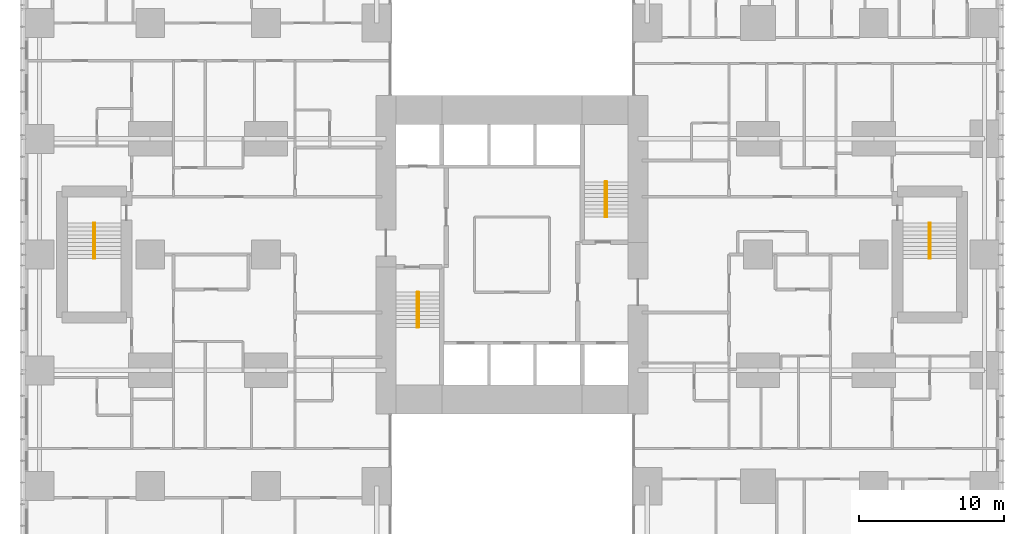
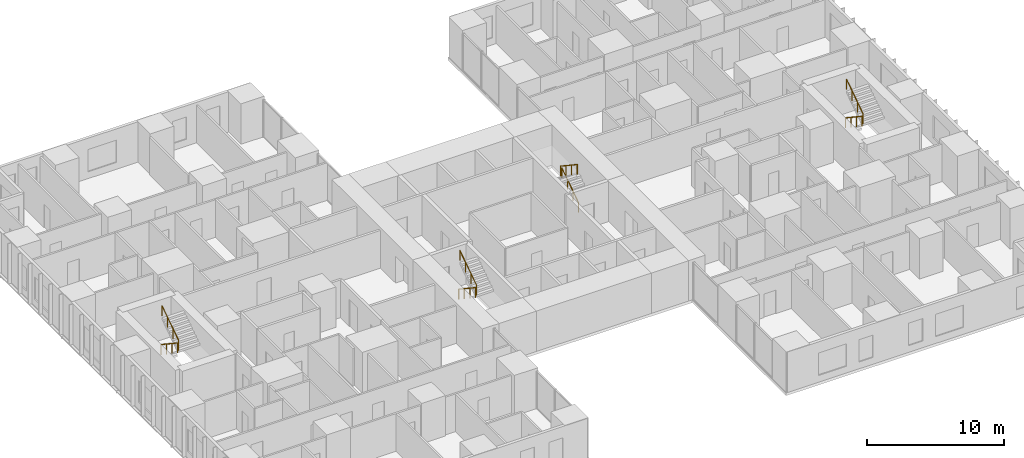
# One storey, part 20 of 20: 8 railings.
"""IFC4 building model written with IfcOpenShell, lengths in metres."""

import ifcopenshell
import ifcopenshell.guid

model = None  # the IFC model being written
_history = None  # IfcOwnerHistory: only IFC2X3 demands one
_inside = {}  # id of a spatial element -> (the spatial element, [elements in it])
_under = {}  # id of a project, library or spatial element -> (it, [spatial elements below it])
_declared = {}  # id of a project -> (the project, [libraries it declares])
_typed = {}  # id of a type object -> (the type object, [elements of that type])
_made_of = {}  # id of a material, layer set ... -> (it, [elements and type objects made of it])


def new_model(schema):
    """Start an empty IFC model of exactly this schema.

    Asked for "IFC4X3", IfcOpenShell would pick the latest addendum, in which some entities
    have other attributes; the version numbers below select the first issue.
    IFC2X3 requires an IfcOwnerHistory on every rooted entity: one is made here for all.
    """
    global model, _history
    if schema == "IFC4X3":
        model = ifcopenshell.file(schema_version=(4, 3, 0, 0))
    else:
        model = ifcopenshell.file(schema=schema)
    _inside.clear()
    _under.clear()
    _declared.clear()
    _typed.clear()
    _made_of.clear()
    _history = None
    if model.schema == "IFC2X3":
        org = make("IfcOrganization", Name="unknown")
        user = make(
            "IfcPersonAndOrganization",
            ThePerson=make("IfcPerson", FamilyName="unknown"),
            TheOrganization=org,
        )
        app = make(
            "IfcApplication",
            ApplicationDeveloper=org,
            Version="unknown",
            ApplicationFullName="unknown",
            ApplicationIdentifier="unknown",
        )
        _history = make(
            "IfcOwnerHistory",
            OwningUser=user,
            OwningApplication=app,
            ChangeAction="ADDED",
            CreationDate=0,
        )
    return model


def make(cls, **values):
    """One entity of the class cls with the attributes given. An attribute that is None is left unset."""
    return model.create_entity(
        cls, **{name: value for name, value in values.items() if value is not None}
    )


def rooted(cls, **values):
    """An entity with a GlobalId (a new one), such as an element, a storey or a relation."""
    return make(cls, GlobalId=ifcopenshell.guid.new(), OwnerHistory=_history, **values)


def si_unit(unit_type, name, prefix=None):
    """IfcSIUnit, for example si_unit("LENGTHUNIT", "METRE", prefix="MILLI")."""
    return make("IfcSIUnit", UnitType=unit_type, Prefix=prefix, Name=name)


def assignment(units):
    """IfcUnitAssignment: the units of a project."""
    return None if units is None else make("IfcUnitAssignment", Units=units)


def point(xyz):
    """IfcCartesianPoint."""
    return None if xyz is None else make("IfcCartesianPoint", Coordinates=xyz)


def direction(xyz):
    """IfcDirection."""
    return None if xyz is None else make("IfcDirection", DirectionRatios=xyz)


def frame(location, z_axis=None, x_axis=None):
    """IfcAxis2Placement3D, a coordinate frame: its origin and axes. An axis left out is left unset."""
    return make(
        "IfcAxis2Placement3D",
        Location=point(location),
        Axis=direction(z_axis),
        RefDirection=direction(x_axis),
    )


def frame_2d(location, x_axis=None):
    """IfcAxis2Placement2D, a coordinate frame in the plane: its origin and x axis."""
    return make(
        "IfcAxis2Placement2D", Location=point(location), RefDirection=direction(x_axis)
    )


def origin():
    """The frame at (0, 0, 0) with its axes left unset."""
    return frame((0.0, 0.0, 0.0))


def origin_2d():
    """The frame at (0, 0) in the plane with its x axis left unset."""
    return frame_2d((0.0, 0.0))


def place(relative_to, where):
    """IfcLocalPlacement: puts the frame where relative to a parent placement (None: the world)."""
    return make(
        "IfcLocalPlacement", PlacementRelTo=relative_to, RelativePlacement=where
    )


def context(
    kind, dimensions, precision=None, world=None, true_north=None, identifier=None
):
    """IfcGeometricRepresentationContext, for example the 3D "Model" context."""
    return make(
        "IfcGeometricRepresentationContext",
        ContextIdentifier=identifier,
        ContextType=kind,
        CoordinateSpaceDimension=dimensions,
        Precision=precision,
        WorldCoordinateSystem=world,
        TrueNorth=true_north,
    )


def subcontext(parent, identifier, kind, view, scale=None):
    """IfcGeometricRepresentationSubContext, for example "Body" below "Model"."""
    return make(
        "IfcGeometricRepresentationSubContext",
        ContextIdentifier=identifier,
        ContextType=kind,
        ParentContext=parent,
        TargetScale=scale,
        TargetView=view,
    )


def project(units=None, contexts=None):
    """IfcProject with its units and contexts."""
    return rooted(
        "IfcProject",
        Name="project",
        RepresentationContexts=contexts,
        UnitsInContext=assignment(units),
    )


def spatial(cls, under=None, at=None, **own):
    """A site, building, storey or space (cls), placed at a placement, below another one or the project."""
    s = rooted(cls, ObjectPlacement=at, **own)
    if under is not None:
        _under.setdefault(under.id(), (under, []))[1].append(s)
    return s


def profile(cls, at=None, kind="AREA", **sizes):
    """A parametric profile (cls). Its sizes go by their IFC names, for example OverallWidth=200.0."""
    return make(cls, ProfileType=kind, Position=at, **sizes)


def circle(**sizes):
    """IfcCircleProfileDef."""
    return profile("IfcCircleProfileDef", **sizes)


def extrude(swept, where, along, depth):
    """IfcExtrudedAreaSolid: the profile swept, set in the frame where, extruded along a direction by depth."""
    return make(
        "IfcExtrudedAreaSolid",
        SweptArea=swept,
        Position=where,
        ExtrudedDirection=direction(along),
        Depth=depth,
    )


def shape(context_of_items, identifier, shape_type, items):
    """IfcShapeRepresentation: the items that make up one representation, for example the "Body"."""
    return make(
        "IfcShapeRepresentation",
        ContextOfItems=context_of_items,
        RepresentationIdentifier=identifier,
        RepresentationType=shape_type,
        Items=items,
    )


def material(Name=None, Category=None):
    """IfcMaterial."""
    return make("IfcMaterial", Name=Name, Category=Category)


def made_of(thing, what):
    """Note that an element or type object is made of a material, layer set ...; save() writes the relation."""
    if what is not None:
        _made_of.setdefault(what.id(), (what, []))[1].append(thing)
    return thing


def type_object(cls, material=None, **own):
    """A type object (cls), such as IfcWallType, which elements share."""
    return made_of(rooted(cls, **own), material)


def element(
    cls,
    number,
    at=None,
    inside=None,
    cuts=None,
    type_object=None,
    material=None,
    context=None,
    identifier="Body",
    shape_type=None,
    held_by="IfcProductDefinitionShape",
    body=None,
    shapes=None,
    **own,
):
    """One element of the class cls, such as IfcWall. Its Tag is "e" and its number.

    at: its placement. inside: the storey or other place that contains it. cuts: it is an
    opening in that element (IfcRelVoidsElement). A single representation is given by context,
    identifier, shape_type and body (its items); several are given by shapes. held_by: the class
    of the entity that holds the representations. save() writes the other relations.
    """
    e = rooted(cls, Tag="e%d" % number, ObjectPlacement=at, **own)
    if body is not None:
        shapes = [shape(context, identifier, shape_type, body)]
    if shapes is not None:
        e.Representation = make(held_by, Representations=shapes)
    if inside is not None:
        _inside.setdefault(inside.id(), (inside, []))[1].append(e)
    if cuts is not None:
        rooted(
            "IfcRelVoidsElement", RelatingBuildingElement=cuts, RelatedOpeningElement=e
        )
    if type_object is not None:
        _typed.setdefault(type_object.id(), (type_object, []))[1].append(e)
    return made_of(e, material)


def aggregate(whole, parts):
    """IfcRelAggregates: a whole, such as a stair, and the parts it consists of."""
    return rooted("IfcRelAggregates", RelatingObject=whole, RelatedObjects=parts)


def save(model, path):
    """Write the relations noted so far, then the file.

    IfcRelAggregates (storeys below a building ...), IfcRelContainedInSpatialStructure (elements
    in a storey), IfcRelDefinesByType, IfcRelAssociatesMaterial and IfcRelDeclares: one each for
    every whole, place, type object, material and project.
    """
    for whole, parts in _under.values():
        aggregate(whole, parts)
    for where, things in _inside.values():
        rooted(
            "IfcRelContainedInSpatialStructure",
            RelatedElements=things,
            RelatingStructure=where,
        )
    for kind, things in _typed.values():
        rooted("IfcRelDefinesByType", RelatedObjects=things, RelatingType=kind)
    for what, things in _made_of.values():
        rooted("IfcRelAssociatesMaterial", RelatedObjects=things, RelatingMaterial=what)
    for by, libraries in _declared.values():
        rooted("IfcRelDeclares", RelatingContext=by, RelatedDefinitions=libraries)
    model.write(path)


model = new_model("IFC4")

# Units and contexts
model_context = context("Model", 3, precision=1e-05, world=origin(), true_north=direction((0.0, 1.0)))
body_context = subcontext(model_context, "Body", "Model", "MODEL_VIEW")
ifc_project = project(units=[si_unit("LENGTHUNIT", "METRE"), si_unit("AREAUNIT", "SQUARE_METRE"), si_unit("VOLUMEUNIT", "CUBIC_METRE"), si_unit("PLANEANGLEUNIT", "RADIAN"), si_unit("MASSUNIT", "GRAM", prefix="KILO")], contexts=[model_context])

# Site, building, storey
site_placement = place(None, origin())
site = spatial("IfcSite", under=ifc_project, at=site_placement, CompositionType="ELEMENT")
building_placement = place(site_placement, origin())
building = spatial("IfcBuilding", under=site, at=building_placement, Name="Cleftline Residences", CompositionType="ELEMENT")
storey_placement = place(building_placement, frame((0.0, 0.0, 62.0)))
storey = spatial("IfcBuildingStorey", under=building, at=storey_placement, Name="L15", CompositionType="ELEMENT", Elevation=62.0)

# Railings
ifc_material = material(Name="Stainless steel", Category="steel")
railing_type = type_object("IfcRailingType", Name="HANDRAIL 900", PredefinedType="HANDRAIL", material=ifc_material)
railing_1_placement = place(storey_placement, frame((26.449951171875, 21.39990234375, 0.179931640625)))
element("IfcRailing", 1, at=railing_1_placement, inside=storey, type_object=railing_type, Name="Stair handrail", PredefinedType="HANDRAIL", context=body_context, shape_type="SweptSolid", body=[
    extrude(circle(Radius=0.02392578125, at=origin_2d()), frame((0.0, 0.0, 0.8759765625), z_axis=(0.0, -0.832024571796, 0.554738778101), x_axis=(1.0, 0.0, 0.0)), (0.0, 0.0, 1.0), 2.92041015625),
    extrude(circle(Radius=0.02099609375, at=origin_2d()), origin(), (0.0, 0.0, 1.0), 0.851806640625),
    extrude(circle(Radius=0.02099609375, at=origin_2d()), frame((0.0, -0.81005859375, 0.5400390625)), (0.0, 0.0, 1.0), 0.851806640625),
    extrude(circle(Radius=0.02099609375, at=origin_2d()), frame((0.0, -1.619873046875, 1.080078125)), (0.0, 0.0, 1.0), 0.851806640625),
    extrude(circle(Radius=0.02099609375, at=origin_2d()), frame((0.0, -2.429931640625, 1.6201171875)), (0.0, 0.0, 1.0), 0.851806640625),
])
for number, where, name in (
    (2, (26.550048828125, 18.969970703125, 1.97998046875), "Stair handrail"),
    (3, (39.550048828125, 26.60009765625, 0.179931640625), "Stair handrail"),
):
    element("IfcRailing", number, at=place(storey_placement, frame(where)), inside=storey, type_object=railing_type, Name=name, PredefinedType="HANDRAIL", context=body_context, shape_type="SweptSolid", body=[
        extrude(circle(Radius=0.02392578125, at=origin_2d()), frame((0.0, 0.0, 0.8759765625), z_axis=(0.0, 0.832024571796, 0.554738778101), x_axis=(-1.0, 0.0, 0.0)), (0.0, 0.0, 1.0), 2.92041015625),
        extrude(circle(Radius=0.02099609375, at=origin_2d()), origin(), (0.0, 0.0, 1.0), 0.851806640625),
        extrude(circle(Radius=0.02099609375, at=origin_2d()), frame((0.0, 0.81005859375, 0.5400390625)), (0.0, 0.0, 1.0), 0.851806640625),
        extrude(circle(Radius=0.02099609375, at=origin_2d()), frame((0.0, 1.619873046875, 1.080078125)), (0.0, 0.0, 1.0), 0.851806640625),
        extrude(circle(Radius=0.02099609375, at=origin_2d()), frame((0.0, 2.429931640625, 1.6201171875)), (0.0, 0.0, 1.0), 0.851806640625),
    ])
for number, where, name in (
    (4, (39.449951171875, 29.030029296875, 1.97998046875), "Stair handrail"),
    (5, (61.824951171875, 26.175048828125, 0.179931640625), "Stair handrail"),
):
    element("IfcRailing", number, at=place(storey_placement, frame(where)), inside=storey, type_object=railing_type, Name=name, PredefinedType="HANDRAIL", context=body_context, shape_type="SweptSolid", body=[
        extrude(circle(Radius=0.02392578125, at=origin_2d()), frame((0.0, 0.0, 0.8759765625), z_axis=(0.0, -0.832024571796, 0.554738778101), x_axis=(1.0, 0.0, 0.0)), (0.0, 0.0, 1.0), 2.92041015625),
        extrude(circle(Radius=0.02099609375, at=origin_2d()), origin(), (0.0, 0.0, 1.0), 0.851806640625),
        extrude(circle(Radius=0.02099609375, at=origin_2d()), frame((0.0, -0.81005859375, 0.5400390625)), (0.0, 0.0, 1.0), 0.851806640625),
        extrude(circle(Radius=0.02099609375, at=origin_2d()), frame((0.0, -1.619873046875, 1.080078125)), (0.0, 0.0, 1.0), 0.851806640625),
        extrude(circle(Radius=0.02099609375, at=origin_2d()), frame((0.0, -2.429931640625, 1.6201171875)), (0.0, 0.0, 1.0), 0.851806640625),
    ])
railing_2_placement = place(storey_placement, frame((61.925048828125, 23.7451171875, 1.97998046875)))
element("IfcRailing", 6, at=railing_2_placement, inside=storey, type_object=railing_type, Name="Stair handrail", PredefinedType="HANDRAIL", context=body_context, shape_type="SweptSolid", body=[
    extrude(circle(Radius=0.02392578125, at=origin_2d()), frame((0.0, 0.0, 0.8759765625), z_axis=(0.0, 0.832024571796, 0.554738778101), x_axis=(-1.0, 0.0, 0.0)), (0.0, 0.0, 1.0), 2.92041015625),
    extrude(circle(Radius=0.02099609375, at=origin_2d()), origin(), (0.0, 0.0, 1.0), 0.851806640625),
    extrude(circle(Radius=0.02099609375, at=origin_2d()), frame((0.0, 0.81005859375, 0.5400390625)), (0.0, 0.0, 1.0), 0.851806640625),
    extrude(circle(Radius=0.02099609375, at=origin_2d()), frame((0.0, 1.619873046875, 1.080078125)), (0.0, 0.0, 1.0), 0.851806640625),
    extrude(circle(Radius=0.02099609375, at=origin_2d()), frame((0.0, 2.429931640625, 1.6201171875)), (0.0, 0.0, 1.0), 0.851806640625),
])
railing_3_placement = place(storey_placement, frame((4.074951171875, 26.175048828125, 0.179931640625)))
element("IfcRailing", 7, at=railing_3_placement, inside=storey, type_object=railing_type, Name="Stair handrail", PredefinedType="HANDRAIL", context=body_context, shape_type="SweptSolid", body=[
    extrude(circle(Radius=0.02392578125, at=origin_2d()), frame((0.0, 0.0, 0.8759765625), z_axis=(0.0, -0.832024571796, 0.554738778101), x_axis=(1.0, 0.0, 0.0)), (0.0, 0.0, 1.0), 2.92041015625),
    extrude(circle(Radius=0.02099609375, at=origin_2d()), origin(), (0.0, 0.0, 1.0), 0.851806640625),
    extrude(circle(Radius=0.02099609375, at=origin_2d()), frame((0.0, -0.81005859375, 0.5400390625)), (0.0, 0.0, 1.0), 0.851806640625),
    extrude(circle(Radius=0.02099609375, at=origin_2d()), frame((0.0, -1.619873046875, 1.080078125)), (0.0, 0.0, 1.0), 0.851806640625),
    extrude(circle(Radius=0.02099609375, at=origin_2d()), frame((0.0, -2.429931640625, 1.6201171875)), (0.0, 0.0, 1.0), 0.851806640625),
])
railing_4_placement = place(storey_placement, frame((4.175048828125, 23.7451171875, 1.97998046875)))
element("IfcRailing", 8, at=railing_4_placement, inside=storey, type_object=railing_type, Name="Stair handrail", PredefinedType="HANDRAIL", context=body_context, shape_type="SweptSolid", body=[
    extrude(circle(Radius=0.02392578125, at=origin_2d()), frame((0.0, 0.0, 0.8759765625), z_axis=(0.0, 0.832024571796, 0.554738778101), x_axis=(-1.0, 0.0, 0.0)), (0.0, 0.0, 1.0), 2.92041015625),
    extrude(circle(Radius=0.02099609375, at=origin_2d()), origin(), (0.0, 0.0, 1.0), 0.851806640625),
    extrude(circle(Radius=0.02099609375, at=origin_2d()), frame((0.0, 0.81005859375, 0.5400390625)), (0.0, 0.0, 1.0), 0.851806640625),
    extrude(circle(Radius=0.02099609375, at=origin_2d()), frame((0.0, 1.619873046875, 1.080078125)), (0.0, 0.0, 1.0), 0.851806640625),
    extrude(circle(Radius=0.02099609375, at=origin_2d()), frame((0.0, 2.429931640625, 1.6201171875)), (0.0, 0.0, 1.0), 0.851806640625),
])

save(model, "model.ifc")
